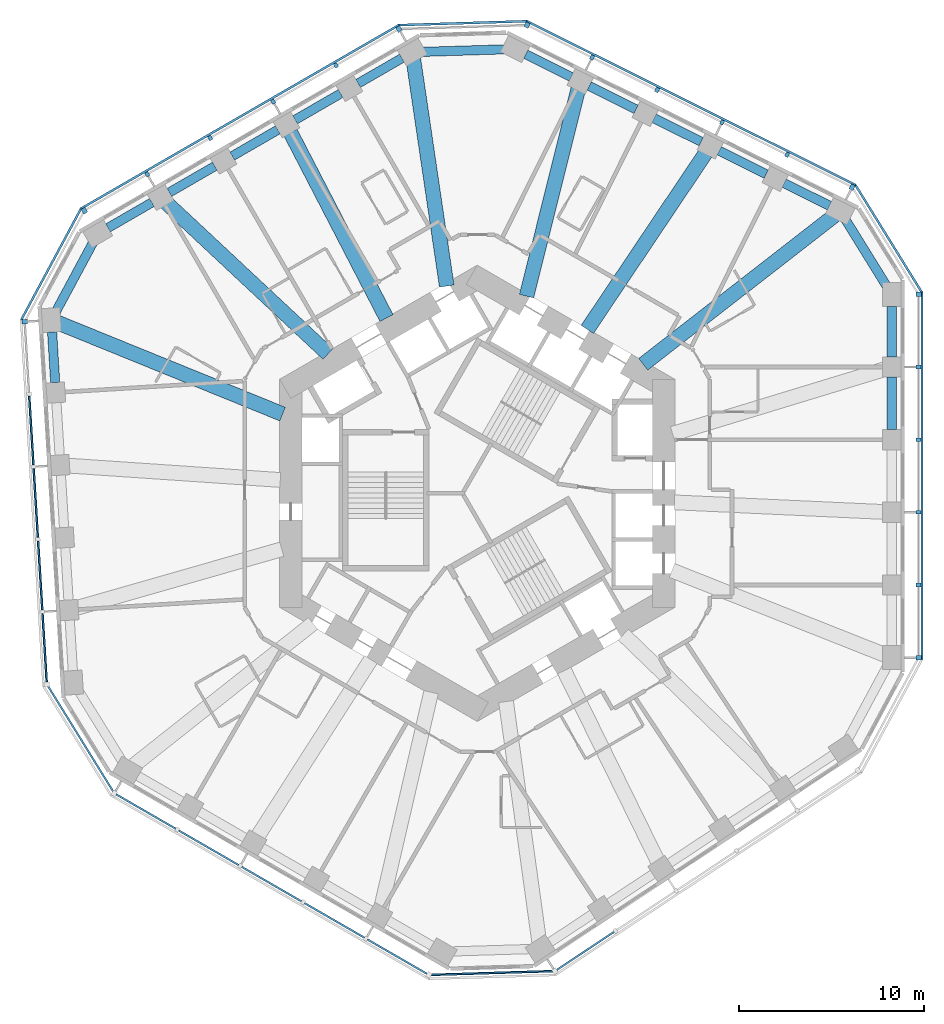
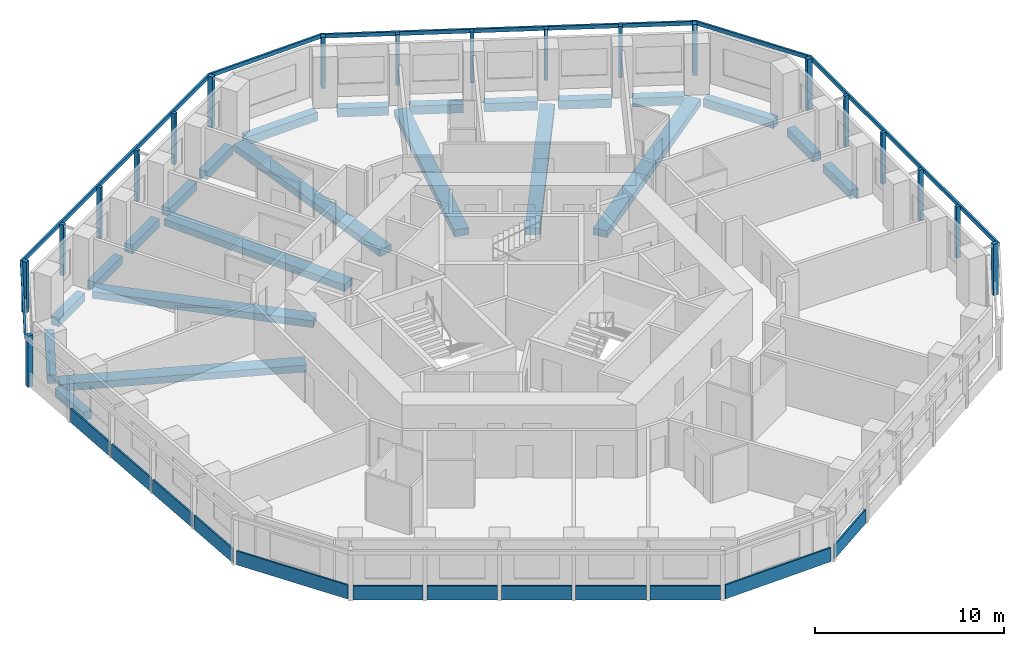
# One storey, part 2 of 12: 25 members, 23 beams, 12 plates, 11 elements without a shape of their own.
"""IFC4 building model written with IfcOpenShell, lengths in metres."""

from ifc_helpers import new_model, si_unit, direction, frame, origin, origin_2d, place, context, subcontext, project, spatial, rectangle, extrude, material, layer, layer_set, material_profile, profile_set, type_object, element, aggregate, save


model = new_model("IFC4")

# Units and contexts
model_context = context("Model", 3, precision=1e-05, world=origin(), true_north=direction((0.0, 1.0)))
body_context = subcontext(model_context, "Body", "Model", "MODEL_VIEW")
ifc_project = project(units=[si_unit("LENGTHUNIT", "METRE"), si_unit("AREAUNIT", "SQUARE_METRE"), si_unit("VOLUMEUNIT", "CUBIC_METRE"), si_unit("PLANEANGLEUNIT", "RADIAN"), si_unit("MASSUNIT", "GRAM", prefix="KILO")], contexts=[model_context])

# Site, building, storey
site_placement = place(None, origin())
site = spatial("IfcSite", under=ifc_project, at=site_placement, CompositionType="ELEMENT")
building_placement = place(site_placement, origin())
building = spatial("IfcBuilding", under=site, at=building_placement, Name="Vanh Sen Convention Tower", CompositionType="ELEMENT")
storey_placement = place(building_placement, frame((0.0, 0.0, 106.699951171875)))
storey = spatial("IfcBuildingStorey", under=building, at=storey_placement, Name="L25", CompositionType="ELEMENT", Elevation=106.699951171875)

# Curtain wall, members
ifc_material_1 = material(Name="Concrete C50/60", Category="concrete")
curtain_wall_type = type_object("IfcCurtainWallType", Name="Outer skin hotel zone", PredefinedType="NOTDEFINED", material=ifc_material_1)
curtain_wall_1_placement = place(storey_placement, origin())
curtain_wall_1 = element("IfcCurtainWall", 1, at=curtain_wall_1_placement, inside=storey, type_object=curtain_wall_type, Name="OUTER SKIN E L25", PredefinedType="NOTDEFINED")
ifc_material_profile_1 = material_profile(ifc_material_1, rectangle(XDim=0.25, YDim=0.300048828125, at=origin_2d()), Name="Outer skin precast corner fin 250 x 300")
ifc_profile_set_1 = profile_set([ifc_material_profile_1], Name="Concrete C50/60")
member_type_1 = type_object("IfcMemberType", Name="Outer skin precast corner fin 250 x 300", PredefinedType="MULLION", material=ifc_profile_set_1)
member_1_placement = place(storey_placement, frame((23.89990234375, -8.899169921875, 0.0), z_axis=(0.0, 0.0, 1.0), x_axis=(0.0, 1.0, 0.0)))
member_1 = element("IfcMember", 2, at=member_1_placement, type_object=member_type_1, Name="OUTER SKIN CORNER FIN 1 E L25", PredefinedType="MULLION", context=body_context, shape_type="SweptSolid", body=[
    extrude(rectangle(XDim=0.25, YDim=0.300048828125, at=origin_2d()), origin(), (0.0, 0.0, 1.0), 3.300048828125),
])
member_2_placement = place(storey_placement, frame((23.89990234375, 10.773681640625, 0.0), z_axis=(0.0, 0.0, 1.0), x_axis=(0.0, 1.0, 0.0)))
member_2 = element("IfcMember", 3, at=member_2_placement, type_object=member_type_1, Name="OUTER SKIN CORNER FIN 6 E L25", PredefinedType="MULLION", context=body_context, shape_type="SweptSolid", body=[
    extrude(rectangle(XDim=0.25, YDim=0.300048828125, at=origin_2d()), origin(), (0.0, 0.0, 1.0), 3.300048828125),
])

curtain_wall_2_placement = place(storey_placement, origin())
curtain_wall_2 = element("IfcCurtainWall", 4, at=curtain_wall_2_placement, inside=storey, type_object=curtain_wall_type, Name="OUTER SKIN NE L25", PredefinedType="NOTDEFINED")
member_3_placement = place(storey_placement, frame((20.305908203125, 16.581787109375, 0.0), z_axis=(0.0, 0.0, 1.0), x_axis=(-0.894934361602, 0.44619781311, 0.0)))
member_3 = element("IfcMember", 5, at=member_3_placement, type_object=member_type_1, Name="OUTER SKIN CORNER FIN 1 NE L25", PredefinedType="MULLION", context=body_context, shape_type="SweptSolid", body=[
    extrude(rectangle(XDim=0.25, YDim=0.300048828125, at=origin_2d()), origin(), (0.0, 0.0, 1.0), 3.300048828125),
])
member_4_placement = place(storey_placement, frame((2.699951171875, 25.35986328125, 0.0), z_axis=(0.0, 0.0, 1.0), x_axis=(-0.894934361602, 0.44619781311, 0.0)))
member_4 = element("IfcMember", 6, at=member_4_placement, type_object=member_type_1, Name="OUTER SKIN CORNER FIN 6 NE L25", PredefinedType="MULLION", context=body_context, shape_type="SweptSolid", body=[
    extrude(rectangle(XDim=0.25, YDim=0.300048828125, at=origin_2d()), origin(), (0.0, 0.0, 1.0), 3.300048828125),
])

curtain_wall_3_placement = place(storey_placement, origin())
curtain_wall_3 = element("IfcCurtainWall", 7, at=curtain_wall_3_placement, inside=storey, type_object=curtain_wall_type, Name="OUTER SKIN NW L25", PredefinedType="NOTDEFINED")
member_5_placement = place(storey_placement, frame((-4.242919921875, 25.147705078125, 0.0), z_axis=(0.0, 0.0, 1.0), x_axis=(-0.866025403784, -0.5, 0.0)))
member_5 = element("IfcMember", 8, at=member_5_placement, type_object=member_type_1, Name="OUTER SKIN CORNER FIN 1 NW L25", PredefinedType="MULLION", context=body_context, shape_type="SweptSolid", body=[
    extrude(rectangle(XDim=0.25, YDim=0.300048828125, at=origin_2d()), origin(), (0.0, 0.0, 1.0), 3.300048828125),
])
member_6_placement = place(storey_placement, frame((-21.2802734375, 15.31103515625, 0.0), z_axis=(0.0, 0.0, 1.0), x_axis=(-0.866025403784, -0.5, 0.0)))
member_6 = element("IfcMember", 9, at=member_6_placement, type_object=member_type_1, Name="OUTER SKIN CORNER FIN 6 NW L25", PredefinedType="MULLION", context=body_context, shape_type="SweptSolid", body=[
    extrude(rectangle(XDim=0.25, YDim=0.300048828125, at=origin_2d()), origin(), (0.0, 0.0, 1.0), 3.300048828125),
])

# Curtain wall, member
curtain_wall_4_placement = place(storey_placement, origin())
curtain_wall_4 = element("IfcCurtainWall", 10, at=curtain_wall_4_placement, inside=storey, type_object=curtain_wall_type, Name="OUTER SKIN W L25", PredefinedType="NOTDEFINED")
member_7_placement = place(storey_placement, frame((-24.51318359375, 9.294677734375, 0.0), z_axis=(0.0, 0.0, 1.0), x_axis=(0.061048539535, -0.998134798422, 0.0)))
member_7 = element("IfcMember", 11, at=member_7_placement, type_object=member_type_1, Name="OUTER SKIN CORNER FIN 1 W L25", PredefinedType="MULLION", context=body_context, shape_type="SweptSolid", body=[
    extrude(rectangle(XDim=0.25, YDim=0.300048828125, at=origin_2d()), origin(), (0.0, 0.0, 1.0), 3.300048828125),
])

# Member
ifc_material_profile_2 = material_profile(ifc_material_1, rectangle(XDim=0.199951171875, YDim=0.25, at=origin_2d()), Name="Outer skin precast fin 200 x 250")
ifc_profile_set_2 = profile_set([ifc_material_profile_2], Name="Concrete C50/60")
member_type_2 = type_object("IfcMemberType", Name="Outer skin precast fin 200 x 250", PredefinedType="MULLION", material=ifc_profile_set_2)
member_8_placement = place(storey_placement, frame((23.89990234375, -4.964599609375, 0.0), z_axis=(0.0, 0.0, 1.0), x_axis=(0.0, 1.0, 0.0)))
member_8 = element("IfcMember", 12, at=member_8_placement, type_object=member_type_2, Name="OUTER SKIN fin 2 E L25", PredefinedType="MULLION", context=body_context, shape_type="SweptSolid", body=[
    extrude(rectangle(XDim=0.199951171875, YDim=0.25, at=origin_2d()), origin(), (0.0, 0.0, 1.0), 3.300048828125),
])

member_9_placement = place(storey_placement, frame((23.89990234375, -1.030029296875, 0.0), z_axis=(0.0, 0.0, 1.0), x_axis=(0.0, 1.0, 0.0)))
member_9 = element("IfcMember", 13, at=member_9_placement, type_object=member_type_2, Name="OUTER SKIN fin 3 E L25", PredefinedType="MULLION", context=body_context, shape_type="SweptSolid", body=[
    extrude(rectangle(XDim=0.199951171875, YDim=0.25, at=origin_2d()), origin(), (0.0, 0.0, 1.0), 3.300048828125),
])

member_10_placement = place(storey_placement, frame((23.89990234375, 2.904541015625, 0.0), z_axis=(0.0, 0.0, 1.0), x_axis=(0.0, 1.0, 0.0)))
member_10 = element("IfcMember", 14, at=member_10_placement, type_object=member_type_2, Name="OUTER SKIN fin 4 E L25", PredefinedType="MULLION", context=body_context, shape_type="SweptSolid", body=[
    extrude(rectangle(XDim=0.199951171875, YDim=0.25, at=origin_2d()), origin(), (0.0, 0.0, 1.0), 3.300048828125),
])

member_11_placement = place(storey_placement, frame((23.89990234375, 6.839111328125, 0.0), z_axis=(0.0, 0.0, 1.0), x_axis=(0.0, 1.0, 0.0)))
member_11 = element("IfcMember", 15, at=member_11_placement, type_object=member_type_2, Name="OUTER SKIN fin 5 E L25", PredefinedType="MULLION", context=body_context, shape_type="SweptSolid", body=[
    extrude(rectangle(XDim=0.199951171875, YDim=0.25, at=origin_2d()), origin(), (0.0, 0.0, 1.0), 3.300048828125),
])

member_12_placement = place(storey_placement, frame((16.78466796875, 18.33740234375, 0.0), z_axis=(0.0, 0.0, 1.0), x_axis=(-0.894934361602, 0.44619781311, 0.0)))
member_12 = element("IfcMember", 16, at=member_12_placement, type_object=member_type_2, Name="OUTER SKIN fin 2 NE L25", PredefinedType="MULLION", context=body_context, shape_type="SweptSolid", body=[
    extrude(rectangle(XDim=0.199951171875, YDim=0.25, at=origin_2d()), origin(), (0.0, 0.0, 1.0), 3.300048828125),
])

member_13_placement = place(storey_placement, frame((13.263427734375, 20.093017578125, 0.0), z_axis=(0.0, 0.0, 1.0), x_axis=(-0.894934361602, 0.44619781311, 0.0)))
member_13 = element("IfcMember", 17, at=member_13_placement, type_object=member_type_2, Name="OUTER SKIN fin 3 NE L25", PredefinedType="MULLION", context=body_context, shape_type="SweptSolid", body=[
    extrude(rectangle(XDim=0.199951171875, YDim=0.25, at=origin_2d()), origin(), (0.0, 0.0, 1.0), 3.300048828125),
])

member_14_placement = place(storey_placement, frame((9.7421875, 21.8486328125, 0.0), z_axis=(0.0, 0.0, 1.0), x_axis=(-0.894934361602, 0.44619781311, 0.0)))
member_14 = element("IfcMember", 18, at=member_14_placement, type_object=member_type_2, Name="OUTER SKIN fin 4 NE L25", PredefinedType="MULLION", context=body_context, shape_type="SweptSolid", body=[
    extrude(rectangle(XDim=0.199951171875, YDim=0.25, at=origin_2d()), origin(), (0.0, 0.0, 1.0), 3.300048828125),
])

member_15_placement = place(storey_placement, frame((6.22119140625, 23.604248046875, 0.0), z_axis=(0.0, 0.0, 1.0), x_axis=(-0.894934361602, 0.44619781311, 0.0)))
member_15 = element("IfcMember", 19, at=member_15_placement, type_object=member_type_2, Name="OUTER SKIN fin 5 NE L25", PredefinedType="MULLION", context=body_context, shape_type="SweptSolid", body=[
    extrude(rectangle(XDim=0.199951171875, YDim=0.25, at=origin_2d()), origin(), (0.0, 0.0, 1.0), 3.300048828125),
])

member_16_placement = place(storey_placement, frame((-7.650390625, 23.180419921875, 0.0), z_axis=(0.0, 0.0, 1.0), x_axis=(-0.866025403784, -0.5, 0.0)))
member_16 = element("IfcMember", 20, at=member_16_placement, type_object=member_type_2, Name="OUTER SKIN fin 2 NW L25", PredefinedType="MULLION", context=body_context, shape_type="SweptSolid", body=[
    extrude(rectangle(XDim=0.199951171875, YDim=0.25, at=origin_2d()), origin(), (0.0, 0.0, 1.0), 3.300048828125),
])

member_17_placement = place(storey_placement, frame((-11.057861328125, 21.212890625, 0.0), z_axis=(0.0, 0.0, 1.0), x_axis=(-0.866025403784, -0.5, 0.0)))
member_17 = element("IfcMember", 21, at=member_17_placement, type_object=member_type_2, Name="OUTER SKIN fin 3 NW L25", PredefinedType="MULLION", context=body_context, shape_type="SweptSolid", body=[
    extrude(rectangle(XDim=0.199951171875, YDim=0.25, at=origin_2d()), origin(), (0.0, 0.0, 1.0), 3.300048828125),
])

member_18_placement = place(storey_placement, frame((-14.46533203125, 19.24560546875, 0.0), z_axis=(0.0, 0.0, 1.0), x_axis=(-0.866025403784, -0.5, 0.0)))
member_18 = element("IfcMember", 22, at=member_18_placement, type_object=member_type_2, Name="OUTER SKIN fin 4 NW L25", PredefinedType="MULLION", context=body_context, shape_type="SweptSolid", body=[
    extrude(rectangle(XDim=0.199951171875, YDim=0.25, at=origin_2d()), origin(), (0.0, 0.0, 1.0), 3.300048828125),
])

member_19_placement = place(storey_placement, frame((-17.872802734375, 17.2783203125, 0.0), z_axis=(0.0, 0.0, 1.0), x_axis=(-0.866025403784, -0.5, 0.0)))
member_19 = element("IfcMember", 23, at=member_19_placement, type_object=member_type_2, Name="OUTER SKIN fin 5 NW L25", PredefinedType="MULLION", context=body_context, shape_type="SweptSolid", body=[
    extrude(rectangle(XDim=0.199951171875, YDim=0.25, at=origin_2d()), origin(), (0.0, 0.0, 1.0), 3.300048828125),
])

ifc_material_profile_3 = material_profile(ifc_material_1, rectangle(XDim=0.1201171875, YDim=0.25, at=origin_2d()), Name="Outer skin precast spandrel band 250 x 120")
ifc_profile_set_3 = profile_set([ifc_material_profile_3], Name="Concrete C50/60")
member_type_3 = type_object("IfcMemberType", Name="Outer skin precast spandrel band 250 x 120", PredefinedType="USERDEFINED", material=ifc_profile_set_3)
member_20_placement = place(storey_placement, frame((24.0849609375, -9.024169921875, 3.175048828125), z_axis=(0.0, 1.0, 0.0), x_axis=(-1.0, 0.0, 0.0)))
member_20 = element("IfcMember", 24, at=member_20_placement, type_object=member_type_3, Name="OUTER SKIN spandrel band E L25", ObjectType="TRANSOM", PredefinedType="USERDEFINED", context=body_context, shape_type="SweptSolid", body=[
    extrude(rectangle(XDim=0.1201171875, YDim=0.25, at=origin_2d()), origin(), (0.0, 0.0, 1.0), 19.9228515625),
])

aggregate(curtain_wall_1, [member_1, member_8, member_9, member_10, member_11, member_2, member_20])

# Curtain wall, member
curtain_wall_5_placement = place(storey_placement, origin())
curtain_wall_5 = element("IfcCurtainWall", 25, at=curtain_wall_5_placement, inside=storey, type_object=curtain_wall_type, Name="OUTER SKIN CH1 L25", PredefinedType="NOTDEFINED")
member_21_placement = place(storey_placement, frame((24.07861328125, 10.88427734375, 3.175048828125), z_axis=(-0.526195864379, 0.850363400148, 0.0), x_axis=(-0.850363400148, -0.526195864379, 0.0)))
member_21 = element("IfcMember", 26, at=member_21_placement, type_object=member_type_3, Name="OUTER SKIN spandrel band CH1 L25", ObjectType="TRANSOM", PredefinedType="USERDEFINED", context=body_context, shape_type="SweptSolid", body=[
    extrude(rectangle(XDim=0.1201171875, YDim=0.25, at=origin_2d()), origin(), (0.0, 0.0, 1.0), 6.830078125),
])
aggregate(curtain_wall_5, [member_21])

# Member
member_22_placement = place(storey_placement, frame((20.500244140625, 16.69140625, 3.175048828125), z_axis=(-0.894931498167, 0.446203556227, 0.0), x_axis=(-0.446203556227, -0.894931498167, 0.0)))
member_22 = element("IfcMember", 27, at=member_22_placement, type_object=member_type_3, Name="OUTER SKIN spandrel band NE L25", ObjectType="TRANSOM", PredefinedType="USERDEFINED", context=body_context, shape_type="SweptSolid", body=[
    extrude(rectangle(XDim=0.1201171875, YDim=0.25, at=origin_2d()), origin(), (0.0, 0.0, 1.0), 19.9228515625),
])

aggregate(curtain_wall_2, [member_3, member_12, member_13, member_14, member_15, member_4, member_22])

# Curtain wall, member
curtain_wall_6_placement = place(storey_placement, origin())
curtain_wall_6 = element("IfcCurtainWall", 28, at=curtain_wall_6_placement, inside=storey, type_object=curtain_wall_type, Name="OUTER SKIN CH2 L25", PredefinedType="NOTDEFINED")
member_23_placement = place(storey_placement, frame((2.693603515625, 25.569580078125, 3.175048828125), z_axis=(-0.999533472857, -0.030542374483, 0.0), x_axis=(0.030542374483, -0.999533472857, 0.0)))
member_23 = element("IfcMember", 29, at=member_23_placement, type_object=member_type_3, Name="OUTER SKIN spandrel band CH2 L25", ObjectType="TRANSOM", PredefinedType="USERDEFINED", context=body_context, shape_type="SweptSolid", body=[
    extrude(rectangle(XDim=0.1201171875, YDim=0.25, at=origin_2d()), origin(), (0.0, 0.0, 1.0), 6.9462890625),
])
aggregate(curtain_wall_6, [member_23])

# Member
member_24_placement = place(storey_placement, frame((-4.227294921875, 25.370361328125, 3.175048828125), z_axis=(-0.866028047459, -0.499995420993, 0.0), x_axis=(0.499995420993, -0.866028047459, 0.0)))
member_24 = element("IfcMember", 30, at=member_24_placement, type_object=member_type_3, Name="OUTER SKIN spandrel band NW L25", ObjectType="TRANSOM", PredefinedType="USERDEFINED", context=body_context, shape_type="SweptSolid", body=[
    extrude(rectangle(XDim=0.1201171875, YDim=0.25, at=origin_2d()), origin(), (0.0, 0.0, 1.0), 19.923095703125),
])

aggregate(curtain_wall_3, [member_5, member_16, member_17, member_18, member_19, member_6, member_24])

# Curtain wall, member
curtain_wall_7_placement = place(storey_placement, origin())
curtain_wall_7 = element("IfcCurtainWall", 31, at=curtain_wall_7_placement, inside=storey, type_object=curtain_wall_type, Name="OUTER SKIN CH3 L25", PredefinedType="NOTDEFINED")
member_25_placement = place(storey_placement, frame((-21.46533203125, 15.410400390625, 3.175048828125), z_axis=(-0.473315186561, -0.880893145717, 0.0), x_axis=(0.880893145717, -0.473315186561, 0.0)))
member_25 = element("IfcMember", 32, at=member_25_placement, type_object=member_type_3, Name="OUTER SKIN spandrel band CH3 L25", ObjectType="TRANSOM", PredefinedType="USERDEFINED", context=body_context, shape_type="SweptSolid", body=[
    extrude(rectangle(XDim=0.1201171875, YDim=0.25, at=origin_2d()), origin(), (0.0, 0.0, 1.0), 6.829833984375),
])
aggregate(curtain_wall_7, [member_25])

# Beams
ifc_material_2 = material(Name="Concrete C50/60", Category="concrete")
ifc_material_profile_4 = material_profile(ifc_material_2, rectangle(XDim=0.800048828125, YDim=0.449951171875, at=origin_2d()), Name="RC 800X450")
ifc_profile_set_4 = profile_set([ifc_material_profile_4], Name="Concrete C50/60")
beam_type_1 = type_object("IfcBeamType", Name="Radial floor beam 800 x 450", PredefinedType="BEAM", material=ifc_profile_set_4)
beam_1_placement = place(storey_placement, frame((19.376708984375, 15.064697265625, -0.474853515625), z_axis=(-0.789479064473, -0.613777489616, 0.0), x_axis=(0.613777489616, -0.789479064473, 0.0)))
element("IfcBeam", 33, at=beam_1_placement, inside=storey, type_object=beam_type_1, Name="Radial beam 04 L25", PredefinedType="BEAM", context=body_context, shape_type="SweptSolid", body=[
    extrude(rectangle(XDim=0.800048828125, YDim=0.449951171875, at=origin_2d()), origin(), (0.0, 0.0, 1.0), 13.16015625),
])
beam_2_placement = place(storey_placement, frame((12.3671875, 18.423828125, -0.474853515625), z_axis=(-0.557338631, -0.830285282536, 0.0), x_axis=(0.830285282536, -0.557338631, 0.0)))
element("IfcBeam", 34, at=beam_2_placement, inside=storey, type_object=beam_type_1, Name="Radial beam 05 L25", PredefinedType="BEAM", context=body_context, shape_type="SweptSolid", body=[
    extrude(rectangle(XDim=0.800048828125, YDim=0.449951171875, at=origin_2d()), origin(), (0.0, 0.0, 1.0), 11.497314453125),
])
beam_3_placement = place(storey_placement, frame((5.47265625, 21.900390625, -0.474853515625), z_axis=(-0.242436270236, -0.97016733344, 0.0), x_axis=(0.97016733344, -0.242436270236, 0.0)))
element("IfcBeam", 35, at=beam_3_placement, inside=storey, type_object=beam_type_1, Name="Radial beam 06 L25", PredefinedType="BEAM", context=body_context, shape_type="SweptSolid", body=[
    extrude(rectangle(XDim=0.800048828125, YDim=0.449951171875, at=origin_2d()), origin(), (0.0, 0.0, 1.0), 11.563720703125),
])
beam_4_placement = place(storey_placement, frame((-3.46337890625, 23.521484375, -0.474853515625), z_axis=(0.145674386683, -0.989332589711, 0.0), x_axis=(0.989332589711, 0.145674386683, 0.0)))
element("IfcBeam", 36, at=beam_4_placement, inside=storey, type_object=beam_type_1, Name="Radial beam 07 L25", PredefinedType="BEAM", context=body_context, shape_type="SweptSolid", body=[
    extrude(rectangle(XDim=0.800048828125, YDim=0.449951171875, at=origin_2d()), origin(), (0.0, 0.0, 1.0), 12.4287109375),
])
beam_5_placement = place(storey_placement, frame((-10.113525390625, 19.53369140625, -0.474853515625), z_axis=(0.459777032111, -0.888034391644, 0.0), x_axis=(0.888034391644, 0.459777032111, 0.0)))
element("IfcBeam", 37, at=beam_5_placement, inside=storey, type_object=beam_type_1, Name="Radial beam 08 L25", PredefinedType="BEAM", context=body_context, shape_type="SweptSolid", body=[
    extrude(rectangle(XDim=0.800048828125, YDim=0.449951171875, at=origin_2d()), origin(), (0.0, 0.0, 1.0), 11.30859375),
])
beam_6_placement = place(storey_placement, frame((-16.858642578125, 15.75244140625, -0.474853515625), z_axis=(0.730678761729, -0.6827214272, 0.0), x_axis=(0.6827214272, 0.730678761729, 0.0)))
element("IfcBeam", 38, at=beam_6_placement, inside=storey, type_object=beam_type_1, Name="Radial beam 09 L25", PredefinedType="BEAM", context=body_context, shape_type="SweptSolid", body=[
    extrude(rectangle(XDim=0.800048828125, YDim=0.449951171875, at=origin_2d()), origin(), (0.0, 0.0, 1.0), 12.01416015625),
])
beam_7_placement = place(storey_placement, frame((-22.734619140625, 9.248291015625, -0.474853515625), z_axis=(0.926292218259, -0.376805953236, 0.0), x_axis=(0.376805953236, 0.926292218259, 0.0)))
element("IfcBeam", 39, at=beam_7_placement, inside=storey, type_object=beam_type_1, Name="Radial beam 10 L25", PredefinedType="BEAM", context=body_context, shape_type="SweptSolid", body=[
    extrude(rectangle(XDim=0.800048828125, YDim=0.449951171875, at=origin_2d()), origin(), (0.0, 0.0, 1.0), 13.159912109375),
])
ifc_material_profile_5 = material_profile(ifc_material_2, rectangle(XDim=0.5, YDim=0.550048828125, at=origin_2d()), Name="RC 500X550")
ifc_profile_set_5 = profile_set([ifc_material_profile_5], Name="Concrete C50/60")
beam_type_2 = type_object("IfcBeamType", Name="Spandrel beam 500 x 550", PredefinedType="SPANDREL", material=ifc_profile_set_5)
beam_8_placement = place(storey_placement, frame((22.449951171875, 3.449462890625, -0.52490234375), z_axis=(0.0, 1.0, 0.0), x_axis=(-1.0, 0.0, 0.0)))
element("IfcBeam", 40, at=beam_8_placement, inside=storey, type_object=beam_type_2, Name="Spandrel beam 04 L25", PredefinedType="SPANDREL", context=body_context, shape_type="SweptSolid", body=[
    extrude(rectangle(XDim=0.5, YDim=0.550048828125, at=origin_2d()), origin(), (0.0, 0.0, 1.0), 2.8447265625),
])
beam_9_placement = place(storey_placement, frame((22.449951171875, 7.384033203125, -0.52490234375), z_axis=(0.0, 1.0, 0.0), x_axis=(-1.0, 0.0, 0.0)))
element("IfcBeam", 41, at=beam_9_placement, inside=storey, type_object=beam_type_2, Name="Spandrel beam 05 L25", PredefinedType="SPANDREL", context=body_context, shape_type="SweptSolid", body=[
    extrude(rectangle(XDim=0.5, YDim=0.550048828125, at=origin_2d()), origin(), (0.0, 0.0, 1.0), 2.74462890625),
])
beam_10_placement = place(storey_placement, frame((22.165283203125, 11.23388671875, -0.52490234375), z_axis=(-0.526225208879, 0.850345241381, 0.0), x_axis=(-0.850345241381, -0.526225208879, 0.0)))
element("IfcBeam", 42, at=beam_10_placement, inside=storey, type_object=beam_type_2, Name="Spandrel beam 06 L25", PredefinedType="SPANDREL", context=body_context, shape_type="SweptSolid", body=[
    extrude(rectangle(XDim=0.5, YDim=0.550048828125, at=origin_2d()), origin(), (0.0, 0.0, 1.0), 4.221923828125),
])
beam_11_placement = place(storey_placement, frame((19.081787109375, 15.572021484375, -0.52490234375), z_axis=(-0.894978032936, 0.446110211229, 0.0), x_axis=(-0.446110211229, -0.894978032936, 0.0)))
element("IfcBeam", 43, at=beam_11_placement, inside=storey, type_object=beam_type_2, Name="Spandrel beam 07 L25", PredefinedType="SPANDREL", context=body_context, shape_type="SweptSolid", body=[
    extrude(rectangle(XDim=0.5, YDim=0.550048828125, at=origin_2d()), origin(), (0.0, 0.0, 1.0), 2.74462890625),
])
beam_12_placement = place(storey_placement, frame((15.64990234375, 17.282958984375, -0.52490234375), z_axis=(-0.894958709308, 0.44614897583, 0.0), x_axis=(-0.44614897583, -0.894958709308, 0.0)))
element("IfcBeam", 44, at=beam_12_placement, inside=storey, type_object=beam_type_2, Name="Spandrel beam 08 L25", PredefinedType="SPANDREL", context=body_context, shape_type="SweptSolid", body=[
    extrude(rectangle(XDim=0.5, YDim=0.550048828125, at=origin_2d()), origin(), (0.0, 0.0, 1.0), 2.844482421875),
])
for number, where, z_axis, x_axis, name in (
    (45, (12.12890625, 19.03857421875, -0.52490234375), (-0.894975791885, 0.446114707155, 0.0), (-0.446114707155, -0.894975791885, 0.0), "Spandrel beam 09 L25"),
    (46, (8.607666015625, 20.794189453125, -0.52490234375), (-0.894975791885, 0.446114707155, 0.0), (-0.446114707155, -0.894975791885, 0.0), "Spandrel beam 10 L25"),
):
    element("IfcBeam", number, at=place(storey_placement, frame(where, z_axis=z_axis, x_axis=x_axis)), inside=storey, type_object=beam_type_2, Name=name, PredefinedType="SPANDREL", context=body_context, shape_type="SweptSolid", body=[
        extrude(rectangle(XDim=0.5, YDim=0.550048828125, at=origin_2d()), origin(), (0.0, 0.0, 1.0), 2.8447265625),
    ])
beam_13_placement = place(storey_placement, frame((5.08642578125, 22.5498046875, -0.52490234375), z_axis=(-0.894942515368, 0.44618145881, 0.0), x_axis=(-0.44618145881, -0.894942515368, 0.0)))
element("IfcBeam", 47, at=beam_13_placement, inside=storey, type_object=beam_type_2, Name="Spandrel beam 11 L25", PredefinedType="SPANDREL", context=body_context, shape_type="SweptSolid", body=[
    extrude(rectangle(XDim=0.5, YDim=0.550048828125, at=origin_2d()), origin(), (0.0, 0.0, 1.0), 2.74462890625),
])
beam_14_placement = place(storey_placement, frame((1.467041015625, 24.044189453125, -0.52490234375), z_axis=(-0.999534488219, -0.030509127505, 0.0), x_axis=(0.030509127505, -0.999534488219, 0.0)))
element("IfcBeam", 48, at=beam_14_placement, inside=storey, type_object=beam_type_2, Name="Spandrel beam 12 L25", PredefinedType="SPANDREL", context=body_context, shape_type="SweptSolid", body=[
    extrude(rectangle(XDim=0.5, YDim=0.550048828125, at=origin_2d()), origin(), (0.0, 0.0, 1.0), 4.401123046875),
])
beam_15_placement = place(storey_placement, frame((-4.07666015625, 23.5693359375, -0.52490234375), z_axis=(-0.866028570666, -0.499994514761, 0.0), x_axis=(0.499994514761, -0.866028570666, 0.0)))
element("IfcBeam", 49, at=beam_15_placement, inside=storey, type_object=beam_type_2, Name="Spandrel beam 13 L25", PredefinedType="SPANDREL", context=body_context, shape_type="SweptSolid", body=[
    extrude(rectangle(XDim=0.5, YDim=0.550048828125, at=origin_2d()), origin(), (0.0, 0.0, 1.0), 2.74462890625),
])
for number, where, z_axis, x_axis, name in (
    (50, (-7.3974609375, 21.652099609375, -0.52490234375), (-0.866005490874, -0.500034488586, 0.0), (0.500034488586, -0.866005490874, 0.0), "Spandrel beam 14 L25"),
    (51, (-10.804931640625, 19.684814453125, -0.52490234375), (-0.866005490874, -0.500034488586, 0.0), (0.500034488586, -0.866005490874, 0.0), "Spandrel beam 15 L25"),
    (52, (-14.21240234375, 17.717529296875, -0.52490234375), (-0.866005490874, -0.500034488586, 0.0), (0.500034488586, -0.866005490874, 0.0), "Spandrel beam 16 L25"),
):
    element("IfcBeam", number, at=place(storey_placement, frame(where, z_axis=z_axis, x_axis=x_axis)), inside=storey, type_object=beam_type_2, Name=name, PredefinedType="SPANDREL", context=body_context, shape_type="SweptSolid", body=[
        extrude(rectangle(XDim=0.5, YDim=0.550048828125, at=origin_2d()), origin(), (0.0, 0.0, 1.0), 2.844482421875),
    ])
beam_16_placement = place(storey_placement, frame((-17.619873046875, 15.750244140625, -0.52490234375), z_axis=(-0.866006330792, -0.500033033937, 0.0), x_axis=(0.500033033937, -0.866006330792, 0.0)))
element("IfcBeam", 53, at=beam_16_placement, inside=storey, type_object=beam_type_2, Name="Spandrel beam 17 L25", PredefinedType="SPANDREL", context=body_context, shape_type="SweptSolid", body=[
    extrude(rectangle(XDim=0.5, YDim=0.550048828125, at=origin_2d()), origin(), (0.0, 0.0, 1.0), 2.744384765625),
])
beam_17_placement = place(storey_placement, frame((-20.811279296875, 13.57861328125, -0.52490234375), z_axis=(-0.473344400705, -0.880877447958, 0.0), x_axis=(0.880877447958, -0.473344400705, 0.0)))
element("IfcBeam", 54, at=beam_17_placement, inside=storey, type_object=beam_type_2, Name="Spandrel beam 18 L25", PredefinedType="SPANDREL", context=body_context, shape_type="SweptSolid", body=[
    extrude(rectangle(XDim=0.5, YDim=0.550048828125, at=origin_2d()), origin(), (0.0, 0.0, 1.0), 4.2216796875),
])
beam_18_placement = place(storey_placement, frame((-23.0263671875, 8.7392578125, -0.52490234375), z_axis=(0.061021442686, -0.998136455367, 0.0), x_axis=(0.998136455367, 0.061021442686, 0.0)))
element("IfcBeam", 55, at=beam_18_placement, inside=storey, type_object=beam_type_2, Name="Spandrel beam 19 L25", PredefinedType="SPANDREL", context=body_context, shape_type="SweptSolid", body=[
    extrude(rectangle(XDim=0.5, YDim=0.550048828125, at=origin_2d()), origin(), (0.0, 0.0, 1.0), 2.74462890625),
])

# Plate
ifc_layer = layer(ifc_material_1, 0.10009765625)
ifc_layer_set = layer_set([ifc_layer], Name="Concrete C50/60")
plate_type = type_object("IfcPlateType", Name="Outer skin precast screen panel 100", PredefinedType="CURTAIN_PANEL", material=ifc_layer_set)
plate_1_placement = place(storey_placement, frame((-24.15283203125, 3.40380859375, 0.0), z_axis=(0.0, 0.0, 1.0), x_axis=(0.061048539535, -0.998134798422, 0.0)))
plate_1 = element("IfcPlate", 56, at=plate_1_placement, type_object=plate_type, Name="OUTER SKIN screen panel W-2", PredefinedType="CURTAIN_PANEL", context=body_context, shape_type="SweptSolid", body=[
    extrude(rectangle(XDim=3.734619140625, YDim=0.10009765625, at=origin_2d()), origin(), (0.0, 0.0, 1.0), 0.89990234375),
])

plate_2_placement = place(storey_placement, frame((-23.91259765625, -0.523681640625, 0.0), z_axis=(0.0, 0.0, 1.0), x_axis=(0.061046797461, -0.99813490497, 0.0)))
plate_2 = element("IfcPlate", 57, at=plate_2_placement, type_object=plate_type, Name="OUTER SKIN screen panel W-3", PredefinedType="CURTAIN_PANEL", context=body_context, shape_type="SweptSolid", body=[
    extrude(rectangle(XDim=3.734619140625, YDim=0.10009765625, at=origin_2d()), origin(), (0.0, 0.0, 1.0), 0.89990234375),
])

plate_3_placement = place(storey_placement, frame((-23.67236328125, -4.45068359375, 0.0), z_axis=(0.0, 0.0, 1.0), x_axis=(0.061048539535, -0.998134798422, 0.0)))
plate_3 = element("IfcPlate", 58, at=plate_3_placement, type_object=plate_type, Name="OUTER SKIN screen panel W-4", PredefinedType="CURTAIN_PANEL", context=body_context, shape_type="SweptSolid", body=[
    extrude(rectangle(XDim=3.734619140625, YDim=0.10009765625, at=origin_2d()), origin(), (0.0, 0.0, 1.0), 0.89990234375),
])

plate_4_placement = place(storey_placement, frame((-23.43310546875, -8.365478515625, 0.0), z_axis=(0.0, 0.0, 1.0), x_axis=(0.061046797461, -0.99813490497, 0.0)))
plate_4 = element("IfcPlate", 59, at=plate_4_placement, type_object=plate_type, Name="OUTER SKIN screen panel W-5", PredefinedType="CURTAIN_PANEL", context=body_context, shape_type="SweptSolid", body=[
    extrude(rectangle(XDim=3.709716796875, YDim=0.10009765625, at=origin_2d()), origin(), (0.0, 0.0, 1.0), 0.89990234375),
])

aggregate(curtain_wall_4, [member_7, plate_1, plate_2, plate_3, plate_4])

# Curtain wall, plate
curtain_wall_8_placement = place(storey_placement, origin())
curtain_wall_8 = element("IfcCurtainWall", 60, at=curtain_wall_8_placement, inside=storey, type_object=curtain_wall_type, Name="OUTER SKIN CH4 L25", PredefinedType="NOTDEFINED")
plate_5_placement = place(storey_placement, frame((-21.484619140625, -13.295166015625, 0.0), z_axis=(0.0, 0.0, 1.0), x_axis=(0.526205018755, -0.850357735448, 0.0)))
plate_5 = element("IfcPlate", 61, at=plate_5_placement, type_object=plate_type, Name="OUTER SKIN screen panel CH4-1", PredefinedType="CURTAIN_PANEL", context=body_context, shape_type="SweptSolid", body=[
    extrude(rectangle(XDim=6.6962890625, YDim=0.10009765625, at=origin_2d()), origin(), (0.0, 0.0, 1.0), 0.89990234375),
])
aggregate(curtain_wall_8, [plate_5])

# Curtain wall, plates
curtain_wall_9_placement = place(storey_placement, origin())
curtain_wall_9 = element("IfcCurtainWall", 62, at=curtain_wall_9_placement, inside=storey, type_object=curtain_wall_type, Name="OUTER SKIN SW L25", PredefinedType="NOTDEFINED")
plate_6_placement = place(storey_placement, frame((-17.9423828125, -17.23828125, 0.0), z_axis=(0.0, 0.0, 1.0), x_axis=(0.866028021766, -0.499995465495, 0.0)))
plate_6 = element("IfcPlate", 63, at=plate_6_placement, type_object=plate_type, Name="OUTER SKIN screen panel SW-1", PredefinedType="CURTAIN_PANEL", context=body_context, shape_type="SweptSolid", body=[
    extrude(rectangle(XDim=3.709716796875, YDim=0.10009765625, at=origin_2d()), origin(), (0.0, 0.0, 1.0), 0.89990234375),
])
plate_7_placement = place(storey_placement, frame((-14.5458984375, -19.19921875, 0.0), z_axis=(0.0, 0.0, 1.0), x_axis=(0.866032385017, -0.499987907955, 0.0)))
plate_7 = element("IfcPlate", 64, at=plate_7_placement, type_object=plate_type, Name="OUTER SKIN screen panel SW-2", PredefinedType="CURTAIN_PANEL", context=body_context, shape_type="SweptSolid", body=[
    extrude(rectangle(XDim=3.734619140625, YDim=0.10009765625, at=origin_2d()), origin(), (0.0, 0.0, 1.0), 0.89990234375),
])
plate_8_placement = place(storey_placement, frame((-11.138427734375, -21.16650390625, 0.0), z_axis=(0.0, 0.0, 1.0), x_axis=(0.866028021766, -0.499995465495, 0.0)))
plate_8 = element("IfcPlate", 65, at=plate_8_placement, type_object=plate_type, Name="OUTER SKIN screen panel SW-3", PredefinedType="CURTAIN_PANEL", context=body_context, shape_type="SweptSolid", body=[
    extrude(rectangle(XDim=3.734619140625, YDim=0.10009765625, at=origin_2d()), origin(), (0.0, 0.0, 1.0), 0.89990234375),
])
plate_9_placement = place(storey_placement, frame((-7.73095703125, -23.1337890625, 0.0), z_axis=(0.0, 0.0, 1.0), x_axis=(0.866028021766, -0.499995465495, 0.0)))
plate_9 = element("IfcPlate", 66, at=plate_9_placement, type_object=plate_type, Name="OUTER SKIN screen panel SW-4", PredefinedType="CURTAIN_PANEL", context=body_context, shape_type="SweptSolid", body=[
    extrude(rectangle(XDim=3.734619140625, YDim=0.10009765625, at=origin_2d()), origin(), (0.0, 0.0, 1.0), 0.89990234375),
])
plate_10_placement = place(storey_placement, frame((-4.334228515625, -25.094970703125, 0.0), z_axis=(0.0, 0.0, 1.0), x_axis=(0.866021040428, -0.500007557478, 0.0)))
plate_10 = element("IfcPlate", 67, at=plate_10_placement, type_object=plate_type, Name="OUTER SKIN screen panel SW-5", PredefinedType="CURTAIN_PANEL", context=body_context, shape_type="SweptSolid", body=[
    extrude(rectangle(XDim=3.70947265625, YDim=0.10009765625, at=origin_2d()), origin(), (0.0, 0.0, 1.0), 0.89990234375),
])
aggregate(curtain_wall_9, [plate_6, plate_7, plate_8, plate_9, plate_10])

# Curtain wall, plate
curtain_wall_10_placement = place(storey_placement, origin())
curtain_wall_10 = element("IfcCurtainWall", 68, at=curtain_wall_10_placement, inside=storey, type_object=curtain_wall_type, Name="OUTER SKIN CH5 L25", PredefinedType="NOTDEFINED")
plate_11_placement = place(storey_placement, frame((0.793701171875, -25.98046875, 0.0), z_axis=(0.0, 0.0, 1.0), x_axis=(0.999533484231, 0.03054200224, 0.0)))
plate_11 = element("IfcPlate", 69, at=plate_11_placement, type_object=plate_type, Name="OUTER SKIN screen panel CH5-1", PredefinedType="CURTAIN_PANEL", context=body_context, shape_type="SweptSolid", body=[
    extrude(rectangle(XDim=6.580078125, YDim=0.10009765625, at=origin_2d()), origin(), (0.0, 0.0, 1.0), 0.89990234375),
])
aggregate(curtain_wall_10, [plate_11])

curtain_wall_11_placement = place(storey_placement, origin())
curtain_wall_11 = element("IfcCurtainWall", 70, at=curtain_wall_11_placement, inside=storey, type_object=curtain_wall_type, Name="OUTER SKIN SE L25", PredefinedType="NOTDEFINED")
plate_12_placement = place(storey_placement, frame((5.858154296875, -24.783447265625, 0.0), z_axis=(0.0, 0.0, 1.0), x_axis=(0.833891601892, 0.55192825285, 0.0)))
plate_12 = element("IfcPlate", 71, at=plate_12_placement, type_object=plate_type, Name="OUTER SKIN screen panel SE-1", PredefinedType="CURTAIN_PANEL", context=body_context, shape_type="SweptSolid", body=[
    extrude(rectangle(XDim=3.709716796875, YDim=0.10009765625, at=origin_2d()), origin(), (0.0, 0.0, 1.0), 0.89990234375),
])
aggregate(curtain_wall_11, [plate_12])

save(model, "model.ifc")
